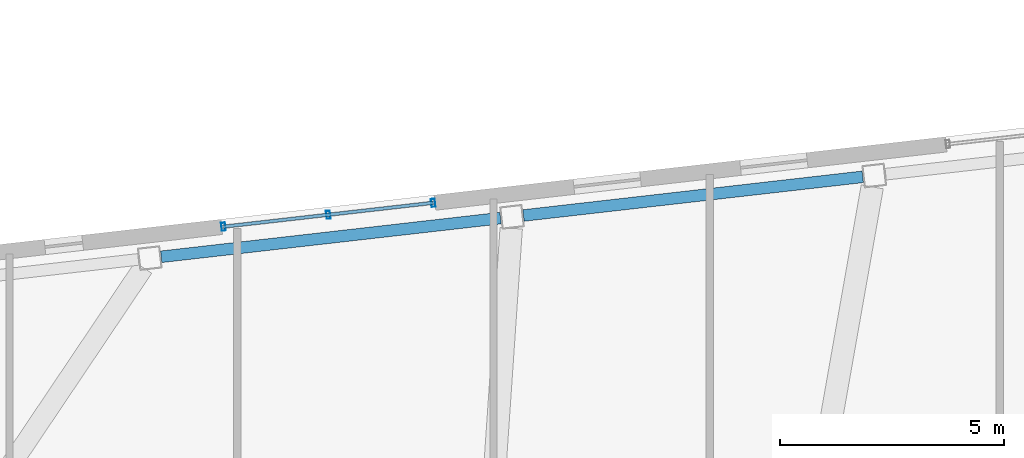
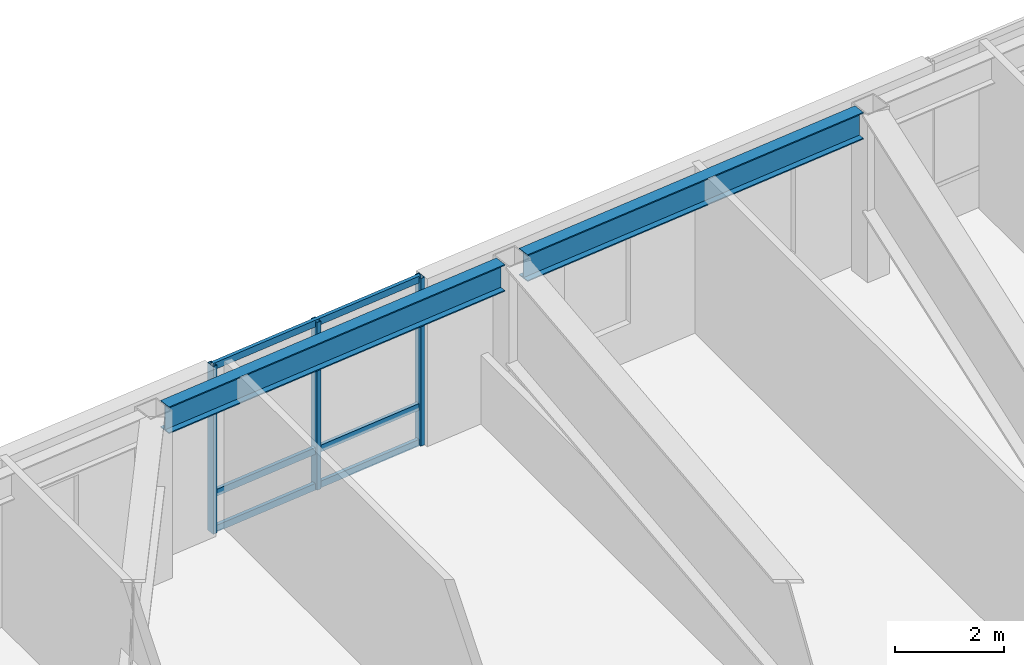
# One storey, part 7 of 18: 6 members, 2 beams, 1 element without a shape of its own.
"""IFC4 building model written with IfcOpenShell, lengths in metres."""

import ifcopenshell
import ifcopenshell.guid

model = None  # the IFC model being written
_history = None  # IfcOwnerHistory: only IFC2X3 demands one
_inside = {}  # id of a spatial element -> (the spatial element, [elements in it])
_under = {}  # id of a project, library or spatial element -> (it, [spatial elements below it])
_declared = {}  # id of a project -> (the project, [libraries it declares])
_typed = {}  # id of a type object -> (the type object, [elements of that type])
_made_of = {}  # id of a material, layer set ... -> (it, [elements and type objects made of it])


def new_model(schema):
    """Start an empty IFC model of exactly this schema.

    Asked for "IFC4X3", IfcOpenShell would pick the latest addendum, in which some entities
    have other attributes; the version numbers below select the first issue.
    IFC2X3 requires an IfcOwnerHistory on every rooted entity: one is made here for all.
    """
    global model, _history
    if schema == "IFC4X3":
        model = ifcopenshell.file(schema_version=(4, 3, 0, 0))
    else:
        model = ifcopenshell.file(schema=schema)
    _inside.clear()
    _under.clear()
    _declared.clear()
    _typed.clear()
    _made_of.clear()
    _history = None
    if model.schema == "IFC2X3":
        org = make("IfcOrganization", Name="unknown")
        user = make(
            "IfcPersonAndOrganization",
            ThePerson=make("IfcPerson", FamilyName="unknown"),
            TheOrganization=org,
        )
        app = make(
            "IfcApplication",
            ApplicationDeveloper=org,
            Version="unknown",
            ApplicationFullName="unknown",
            ApplicationIdentifier="unknown",
        )
        _history = make(
            "IfcOwnerHistory",
            OwningUser=user,
            OwningApplication=app,
            ChangeAction="ADDED",
            CreationDate=0,
        )
    return model


def make(cls, **values):
    """One entity of the class cls with the attributes given. An attribute that is None is left unset."""
    return model.create_entity(
        cls, **{name: value for name, value in values.items() if value is not None}
    )


def rooted(cls, **values):
    """An entity with a GlobalId (a new one), such as an element, a storey or a relation."""
    return make(cls, GlobalId=ifcopenshell.guid.new(), OwnerHistory=_history, **values)


def si_unit(unit_type, name, prefix=None):
    """IfcSIUnit, for example si_unit("LENGTHUNIT", "METRE", prefix="MILLI")."""
    return make("IfcSIUnit", UnitType=unit_type, Prefix=prefix, Name=name)


def assignment(units):
    """IfcUnitAssignment: the units of a project."""
    return None if units is None else make("IfcUnitAssignment", Units=units)


def point(xyz):
    """IfcCartesianPoint."""
    return None if xyz is None else make("IfcCartesianPoint", Coordinates=xyz)


def direction(xyz):
    """IfcDirection."""
    return None if xyz is None else make("IfcDirection", DirectionRatios=xyz)


def frame(location, z_axis=None, x_axis=None):
    """IfcAxis2Placement3D, a coordinate frame: its origin and axes. An axis left out is left unset."""
    return make(
        "IfcAxis2Placement3D",
        Location=point(location),
        Axis=direction(z_axis),
        RefDirection=direction(x_axis),
    )


def frame_2d(location, x_axis=None):
    """IfcAxis2Placement2D, a coordinate frame in the plane: its origin and x axis."""
    return make(
        "IfcAxis2Placement2D", Location=point(location), RefDirection=direction(x_axis)
    )


def origin():
    """The frame at (0, 0, 0) with its axes left unset."""
    return frame((0.0, 0.0, 0.0))


def origin_2d():
    """The frame at (0, 0) in the plane with its x axis left unset."""
    return frame_2d((0.0, 0.0))


def place(relative_to, where):
    """IfcLocalPlacement: puts the frame where relative to a parent placement (None: the world)."""
    return make(
        "IfcLocalPlacement", PlacementRelTo=relative_to, RelativePlacement=where
    )


def context(
    kind, dimensions, precision=None, world=None, true_north=None, identifier=None
):
    """IfcGeometricRepresentationContext, for example the 3D "Model" context."""
    return make(
        "IfcGeometricRepresentationContext",
        ContextIdentifier=identifier,
        ContextType=kind,
        CoordinateSpaceDimension=dimensions,
        Precision=precision,
        WorldCoordinateSystem=world,
        TrueNorth=true_north,
    )


def subcontext(parent, identifier, kind, view, scale=None):
    """IfcGeometricRepresentationSubContext, for example "Body" below "Model"."""
    return make(
        "IfcGeometricRepresentationSubContext",
        ContextIdentifier=identifier,
        ContextType=kind,
        ParentContext=parent,
        TargetScale=scale,
        TargetView=view,
    )


def project(units=None, contexts=None):
    """IfcProject with its units and contexts."""
    return rooted(
        "IfcProject",
        Name="project",
        RepresentationContexts=contexts,
        UnitsInContext=assignment(units),
    )


def spatial(cls, under=None, at=None, **own):
    """A site, building, storey or space (cls), placed at a placement, below another one or the project."""
    s = rooted(cls, ObjectPlacement=at, **own)
    if under is not None:
        _under.setdefault(under.id(), (under, []))[1].append(s)
    return s


def profile(cls, at=None, kind="AREA", **sizes):
    """A parametric profile (cls). Its sizes go by their IFC names, for example OverallWidth=200.0."""
    return make(cls, ProfileType=kind, Position=at, **sizes)


def hollow_rectangle(**sizes):
    """IfcRectangleHollowProfileDef."""
    return profile("IfcRectangleHollowProfileDef", **sizes)


def i_section(**sizes):
    """IfcIShapeProfileDef."""
    return profile("IfcIShapeProfileDef", **sizes)


def extrude(swept, where, along, depth):
    """IfcExtrudedAreaSolid: the profile swept, set in the frame where, extruded along a direction by depth."""
    return make(
        "IfcExtrudedAreaSolid",
        SweptArea=swept,
        Position=where,
        ExtrudedDirection=direction(along),
        Depth=depth,
    )


def shape(context_of_items, identifier, shape_type, items):
    """IfcShapeRepresentation: the items that make up one representation, for example the "Body"."""
    return make(
        "IfcShapeRepresentation",
        ContextOfItems=context_of_items,
        RepresentationIdentifier=identifier,
        RepresentationType=shape_type,
        Items=items,
    )


def material(Name=None, Category=None):
    """IfcMaterial."""
    return make("IfcMaterial", Name=Name, Category=Category)


def layer(
    of_material, thickness, ventilated=None, Name=None, Category=None, Priority=None
):
    """IfcMaterialLayer: one layer of a wall or slab, of a material (None: an air gap)."""
    return make(
        "IfcMaterialLayer",
        Material=of_material,
        LayerThickness=thickness,
        IsVentilated=ventilated,
        Name=Name,
        Category=Category,
        Priority=Priority,
    )


def layer_set(layers, Name=None):
    """IfcMaterialLayerSet."""
    return make("IfcMaterialLayerSet", MaterialLayers=layers, LayerSetName=Name)


def material_profile(
    of_material, cross_section, Name=None, Category=None, Priority=None
):
    """IfcMaterialProfile: a cross section and its material."""
    return make(
        "IfcMaterialProfile",
        Name=Name,
        Material=of_material,
        Profile=cross_section,
        Priority=Priority,
        Category=Category,
    )


def profile_set(profiles, Name=None, composite=None):
    """IfcMaterialProfileSet."""
    return make(
        "IfcMaterialProfileSet",
        Name=Name,
        MaterialProfiles=profiles,
        CompositeProfile=composite,
    )


def made_of(thing, what):
    """Note that an element or type object is made of a material, layer set ...; save() writes the relation."""
    if what is not None:
        _made_of.setdefault(what.id(), (what, []))[1].append(thing)
    return thing


def type_object(cls, material=None, **own):
    """A type object (cls), such as IfcWallType, which elements share."""
    return made_of(rooted(cls, **own), material)


def element(
    cls,
    number,
    at=None,
    inside=None,
    cuts=None,
    type_object=None,
    material=None,
    context=None,
    identifier="Body",
    shape_type=None,
    held_by="IfcProductDefinitionShape",
    body=None,
    shapes=None,
    **own,
):
    """One element of the class cls, such as IfcWall. Its Tag is "e" and its number.

    at: its placement. inside: the storey or other place that contains it. cuts: it is an
    opening in that element (IfcRelVoidsElement). A single representation is given by context,
    identifier, shape_type and body (its items); several are given by shapes. held_by: the class
    of the entity that holds the representations. save() writes the other relations.
    """
    e = rooted(cls, Tag="e%d" % number, ObjectPlacement=at, **own)
    if body is not None:
        shapes = [shape(context, identifier, shape_type, body)]
    if shapes is not None:
        e.Representation = make(held_by, Representations=shapes)
    if inside is not None:
        _inside.setdefault(inside.id(), (inside, []))[1].append(e)
    if cuts is not None:
        rooted(
            "IfcRelVoidsElement", RelatingBuildingElement=cuts, RelatedOpeningElement=e
        )
    if type_object is not None:
        _typed.setdefault(type_object.id(), (type_object, []))[1].append(e)
    return made_of(e, material)


def aggregate(whole, parts):
    """IfcRelAggregates: a whole, such as a stair, and the parts it consists of."""
    return rooted("IfcRelAggregates", RelatingObject=whole, RelatedObjects=parts)


def save(model, path):
    """Write the relations noted so far, then the file.

    IfcRelAggregates (storeys below a building ...), IfcRelContainedInSpatialStructure (elements
    in a storey), IfcRelDefinesByType, IfcRelAssociatesMaterial and IfcRelDeclares: one each for
    every whole, place, type object, material and project.
    """
    for whole, parts in _under.values():
        aggregate(whole, parts)
    for where, things in _inside.values():
        rooted(
            "IfcRelContainedInSpatialStructure",
            RelatedElements=things,
            RelatingStructure=where,
        )
    for kind, things in _typed.values():
        rooted("IfcRelDefinesByType", RelatedObjects=things, RelatingType=kind)
    for what, things in _made_of.values():
        rooted("IfcRelAssociatesMaterial", RelatedObjects=things, RelatingMaterial=what)
    for by, libraries in _declared.values():
        rooted("IfcRelDeclares", RelatingContext=by, RelatedDefinitions=libraries)
    model.write(path)


model = new_model("IFC4")

# Units and contexts
model_context = context("Model", 3, precision=1e-05, world=origin(), true_north=direction((0.0, 1.0)))
body_context = subcontext(model_context, "Body", "Model", "MODEL_VIEW")
ifc_project = project(units=[si_unit("LENGTHUNIT", "METRE"), si_unit("AREAUNIT", "SQUARE_METRE"), si_unit("VOLUMEUNIT", "CUBIC_METRE"), si_unit("PLANEANGLEUNIT", "RADIAN"), si_unit("MASSUNIT", "GRAM", prefix="KILO")], contexts=[model_context])

# Site, building, storey
site_placement = place(None, origin())
site = spatial("IfcSite", under=ifc_project, at=site_placement, CompositionType="ELEMENT")
building_placement = place(site_placement, origin())
building = spatial("IfcBuilding", under=site, at=building_placement, Name="Tavrogorsk Clinical Tower", CompositionType="ELEMENT")
storey_placement = place(building_placement, frame((0.0, 0.0, 222.199951171875)))
storey = spatial("IfcBuildingStorey", under=building, at=storey_placement, Name="L51", CompositionType="ELEMENT", Elevation=222.199951171875)

# Curtain wall, members
ifc_material_1 = material(Name="Anodised aluminium and triple IGU glazing", Category="aluminium")
ifc_layer = layer(ifc_material_1, 0.179931640625)
ifc_layer_set = layer_set([ifc_layer], Name="Anodised aluminium and triple IGU glazing")
curtain_wall_type = type_object("IfcCurtainWallType", Name="CW2_NorthSlot", PredefinedType="NOTDEFINED", material=ifc_layer_set)
curtain_wall_placement = place(storey_placement, origin())
curtain_wall = element("IfcCurtainWall", 1, at=curtain_wall_placement, inside=storey, type_object=curtain_wall_type, Name="L51 Curtain Wall CW-L51-N-SLOT-1", PredefinedType="NOTDEFINED")
ifc_material_2 = material(Name="Anodised aluminium alloy AW-6060", Category="aluminium")
ifc_material_profile_1 = material_profile(ifc_material_2, hollow_rectangle(XDim=0.090087890625, YDim=0.179931640625, WallThickness=0.00634765625, at=origin_2d()), Name="RHS-180x90x6.3")
ifc_profile_set_1 = profile_set([ifc_material_profile_1], Name="Anodised aluminium alloy AW-6060")
member_type_1 = type_object("IfcMemberType", Name="CwMullion_180x90", PredefinedType="MULLION", material=ifc_profile_set_1)
member_1_placement = place(storey_placement, frame((-10.781982421875, 25.42529296875, 0.0), z_axis=(0.0, 0.0, 1.0), x_axis=(-0.993571855603, -0.11320321441, 0.0)))
member_1 = element("IfcMember", 2, at=member_1_placement, type_object=member_type_1, Name="CW-L51-N-SLOT-1 Mullion 1", PredefinedType="MULLION", context=body_context, shape_type="SweptSolid", body=[
    extrude(hollow_rectangle(XDim=0.090087890625, YDim=0.179931640625, WallThickness=0.00634765625, at=origin_2d()), origin(), (0.0, 0.0, 1.0), 3.739990234375),
])
member_2_placement = place(storey_placement, frame((-13.1259765625, 25.158203125, 0.0), z_axis=(0.0, 0.0, 1.0), x_axis=(-0.993571855603, -0.11320321441, 0.0)))
member_2 = element("IfcMember", 3, at=member_2_placement, type_object=member_type_1, Name="CW-L51-N-SLOT-1 Mullion 2", PredefinedType="MULLION", context=body_context, shape_type="SweptSolid", body=[
    extrude(hollow_rectangle(XDim=0.090087890625, YDim=0.179931640625, WallThickness=0.00634765625, at=origin_2d()), origin(), (0.0, 0.0, 1.0), 3.739990234375),
])
member_3_placement = place(storey_placement, frame((-15.4697265625, 24.89111328125, 0.0), z_axis=(0.0, 0.0, 1.0), x_axis=(-0.993571855603, -0.11320321441, 0.0)))
member_3 = element("IfcMember", 4, at=member_3_placement, type_object=member_type_1, Name="CW-L51-N-SLOT-1 Mullion 3", PredefinedType="MULLION", context=body_context, shape_type="SweptSolid", body=[
    extrude(hollow_rectangle(XDim=0.090087890625, YDim=0.179931640625, WallThickness=0.00634765625, at=origin_2d()), origin(), (0.0, 0.0, 1.0), 3.739990234375),
])
ifc_material_3 = material(Name="Anodised aluminium alloy AW-6060", Category="aluminium")
ifc_material_profile_2 = material_profile(ifc_material_3, hollow_rectangle(XDim=0.074951171875, YDim=0.14990234375, WallThickness=0.0048828125, at=origin_2d()), Name="RHS-150x75x5")
ifc_profile_set_2 = profile_set([ifc_material_profile_2], Name="Anodised aluminium alloy AW-6060")
member_type_2 = type_object("IfcMemberType", Name="CwTransom_150x75", PredefinedType="USERDEFINED", material=ifc_profile_set_2)
member_4_placement = place(storey_placement, frame((-10.781982421875, 25.42529296875, 0.050048828125), z_axis=(-0.993569979218, -0.113219682023, 0.0), x_axis=(0.113219682023, -0.993569979218, 0.0)))
member_4 = element("IfcMember", 5, at=member_4_placement, type_object=member_type_2, Name="CW-L51-N-SLOT-1 Transom 1", ObjectType="TRANSOM", PredefinedType="USERDEFINED", context=body_context, shape_type="SweptSolid", body=[
    extrude(hollow_rectangle(XDim=0.074951171875, YDim=0.14990234375, WallThickness=0.0048828125, at=origin_2d()), origin(), (0.0, 0.0, 1.0), 4.718017578125),
])
member_5_placement = place(storey_placement, frame((-10.781982421875, 25.42529296875, 0.85009765625), z_axis=(-0.993569979218, -0.113219682023, 0.0), x_axis=(0.113219682023, -0.993569979218, 0.0)))
member_5 = element("IfcMember", 6, at=member_5_placement, type_object=member_type_2, Name="CW-L51-N-SLOT-1 Transom 2", ObjectType="TRANSOM", PredefinedType="USERDEFINED", context=body_context, shape_type="SweptSolid", body=[
    extrude(hollow_rectangle(XDim=0.074951171875, YDim=0.14990234375, WallThickness=0.0048828125, at=origin_2d()), origin(), (0.0, 0.0, 1.0), 4.718017578125),
])
member_6_placement = place(storey_placement, frame((-10.781982421875, 25.42529296875, 3.68994140625), z_axis=(-0.993569979218, -0.113219682023, 0.0), x_axis=(0.113219682023, -0.993569979218, 0.0)))
member_6 = element("IfcMember", 7, at=member_6_placement, type_object=member_type_2, Name="CW-L51-N-SLOT-1 Transom 3", ObjectType="TRANSOM", PredefinedType="USERDEFINED", context=body_context, shape_type="SweptSolid", body=[
    extrude(hollow_rectangle(XDim=0.074951171875, YDim=0.14990234375, WallThickness=0.0048828125, at=origin_2d()), origin(), (0.0, 0.0, 1.0), 4.718017578125),
])
aggregate(curtain_wall, [member_1, member_2, member_3, member_4, member_5, member_6])

# Beams
ifc_material_4 = material(Name="Structural steel S390", Category="steel")
ifc_material_profile_3 = material_profile(ifc_material_4, i_section(OverallWidth=0.260009765625, OverallDepth=0.60009765625, WebThickness=0.014892578125, FlangeThickness=0.02392578125, at=origin_2d()), Name="B-600x260x15x24")
ifc_profile_set_3 = profile_set([ifc_material_profile_3], Name="Structural steel S390")
beam_type = type_object("IfcBeamType", Name="SpandrelBeam_B600", PredefinedType="SPANDREL", material=ifc_profile_set_3)
for number, where, z_axis, x_axis, name in (
    (8, (-1.18017578125, 26.006103515625, 3.43994140625), (-0.993568501687, -0.113232647478, 0.0), (0.113232647478, -0.993568501687, 0.0), "L51 Perimeter Spandrel N4-N5"),
    (9, (-9.2763671875, 25.08349609375, 3.43994140625), (-0.993572099834, -0.113201070804, 0.0), (0.113201070804, -0.993572099834, 0.0), "L51 Perimeter Spandrel N5-N6"),
):
    element("IfcBeam", number, at=place(storey_placement, frame(where, z_axis=z_axis, x_axis=x_axis)), inside=storey, type_object=beam_type, Name=name, PredefinedType="SPANDREL", context=body_context, shape_type="SweptSolid", body=[
        extrude(i_section(OverallWidth=0.260009765625, OverallDepth=0.60009765625, WebThickness=0.014892578125, FlangeThickness=0.02392578125, at=origin_2d()), origin(), (0.0, 0.0, 1.0), 7.632568359375),
    ])

save(model, "model.ifc")
